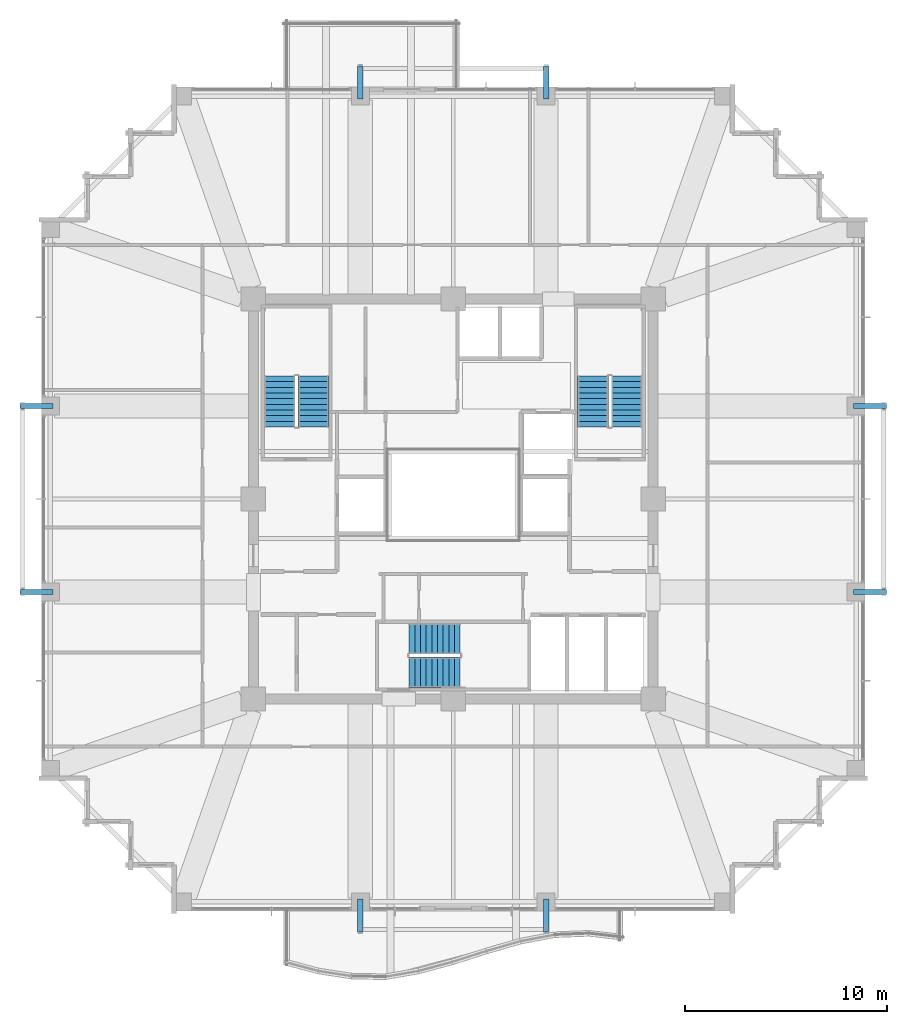
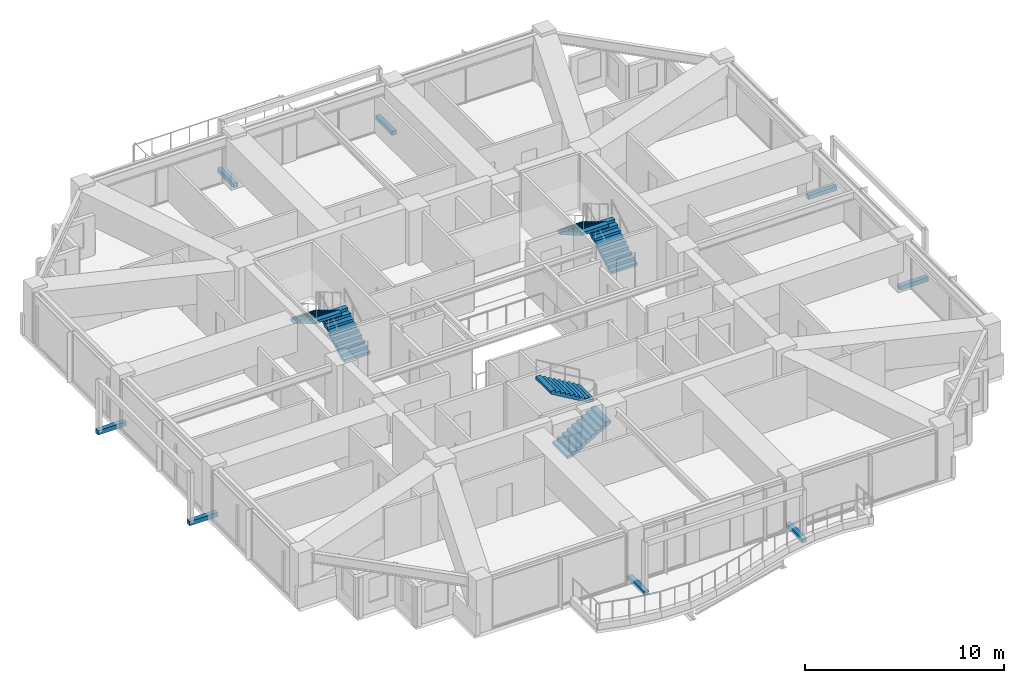
# One storey, part 35 of 37: 8 discrete accessories, 6 stair flights, 3 elements without a shape of their own.
"""IFC4 building model written with IfcOpenShell, lengths in metres."""

from ifc_helpers import new_model, si_unit, direction, frame, origin, origin_2d, place, context, subcontext, project, spatial, polyline, rectangle, outline, extrude, material, type_object, element, aggregate, save


model = new_model("IFC4")

# Units and contexts
model_context = context("Model", 3, precision=1e-05, world=origin(), true_north=direction((0.0, 1.0)))
body_context = subcontext(model_context, "Body", "Model", "MODEL_VIEW")
ifc_project = project(units=[si_unit("LENGTHUNIT", "METRE"), si_unit("AREAUNIT", "SQUARE_METRE"), si_unit("VOLUMEUNIT", "CUBIC_METRE"), si_unit("PLANEANGLEUNIT", "RADIAN"), si_unit("MASSUNIT", "GRAM", prefix="KILO")], contexts=[model_context])

# Site, building, storey
site_placement = place(None, origin())
site = spatial("IfcSite", under=ifc_project, at=site_placement, CompositionType="ELEMENT")
building_placement = place(site_placement, origin())
building = spatial("IfcBuilding", under=site, at=building_placement, Name="Kolvaren Belvedere", CompositionType="ELEMENT")
storey_placement = place(building_placement, frame((0.0, 0.0, 186.60009765625)))
storey = spatial("IfcBuildingStorey", under=building, at=storey_placement, Name="L54", CompositionType="ELEMENT", Elevation=186.60009765625)

# Stair, stair flights
ifc_material_1 = material(Name="Concrete C50/60", Category="concrete")
stair_type = type_object("IfcStairType", Name="ST-CORE-1520", PredefinedType="HALF_TURN_STAIR", material=ifc_material_1)
stair_1_placement = place(storey_placement, origin())
stair_1 = element("IfcStair", 1, at=stair_1_placement, inside=storey, type_object=stair_type, Name="L54 Protected Exit Stair ST-1", PredefinedType="HALF_TURN_STAIR")
ifc_material_2 = material(Name="Concrete C50/60", Category="concrete")
stair_flight_type = type_object("IfcStairFlightType", Name="SF-STR-1520", PredefinedType="STRAIGHT", material=ifc_material_2)
stair_flight_1_placement = place(storey_placement, frame((-6.919921875, 3.570068359375, 0.0), z_axis=(0.0, 0.0, 1.0), x_axis=(0.0, 1.0, 0.0)))
stair_flight_1 = element("IfcStairFlight", 2, at=stair_flight_1_placement, type_object=stair_flight_type, Name="ST-1 flight 1", NumberOfRisers=10, NumberOfTreads=9, PredefinedType="STRAIGHT", RiserHeight=0.165, TreadLength=0.28, context=body_context, shape_type="SweptSolid", body=[
    extrude(outline(polyline([(0.0, 0.0), (0.0, 0.1650390625), (0.280029296875, 0.1650390625), (0.280029296875, 0.330078125), (0.56005859375, 0.330078125), (0.56005859375, 0.4951171875), (0.840087890625, 0.4951171875), (0.840087890625, 0.659912109375), (1.1201171875, 0.659912109375), (1.1201171875, 0.824951171875), (1.39990234375, 0.824951171875), (1.39990234375, 0.989990234375), (1.679931640625, 0.989990234375), (1.679931640625, 1.155029296875), (1.9599609375, 1.155029296875), (1.9599609375, 1.320068359375), (2.239990234375, 1.320068359375), (2.239990234375, 1.485107421875), (2.52001953125, 1.485107421875), (2.52001953125, 1.64990234375), (2.52001953125, 1.31103515625), (0.295166015625, 0.0), (0.0, 0.0)])), frame((0.0, 0.760009765625, 0.0), z_axis=(0.0, -1.0, 0.0), x_axis=(1.0, 0.0, 0.0)), (0.0, 0.0, 1.0), 1.52001953125),
])
stair_flight_2_placement = place(storey_placement, frame((-8.590087890625, 6.090087890625, 1.64990234375), z_axis=(0.0, 0.0, 1.0), x_axis=(0.0, -1.0, 0.0)))
stair_flight_2 = element("IfcStairFlight", 3, at=stair_flight_2_placement, type_object=stair_flight_type, Name="ST-1 flight 2", NumberOfRisers=10, NumberOfTreads=9, PredefinedType="STRAIGHT", RiserHeight=0.165, TreadLength=0.28, context=body_context, shape_type="SweptSolid", body=[
    extrude(outline(polyline([(0.0, 0.0), (0.0, 0.1650390625), (0.280029296875, 0.1650390625), (0.280029296875, 0.330078125), (0.56005859375, 0.330078125), (0.56005859375, 0.4951171875), (0.840087890625, 0.4951171875), (0.840087890625, 0.659912109375), (1.1201171875, 0.659912109375), (1.1201171875, 0.824951171875), (1.39990234375, 0.824951171875), (1.39990234375, 0.989990234375), (1.679931640625, 0.989990234375), (1.679931640625, 1.155029296875), (1.9599609375, 1.155029296875), (1.9599609375, 1.320068359375), (2.239990234375, 1.320068359375), (2.239990234375, 1.485107421875), (2.52001953125, 1.485107421875), (2.52001953125, 1.64990234375), (2.52001953125, 1.31103515625), (0.295166015625, 0.0), (0.0, 0.0)])), frame((0.0, 0.760009765625, 0.0), z_axis=(0.0, -1.0, 0.0), x_axis=(1.0, 0.0, 0.0)), (0.0, 0.0, 1.0), 1.52001953125),
])
aggregate(stair_1, [stair_flight_1, stair_flight_2])

stair_2_placement = place(storey_placement, origin())
stair_2 = element("IfcStair", 4, at=stair_2_placement, inside=storey, type_object=stair_type, Name="L54 Protected Exit Stair ST-2", PredefinedType="HALF_TURN_STAIR")
stair_flight_3_placement = place(storey_placement, frame((8.590087890625, 3.570068359375, 0.0), z_axis=(0.0, 0.0, 1.0), x_axis=(0.0, 1.0, 0.0)))
stair_flight_3 = element("IfcStairFlight", 5, at=stair_flight_3_placement, type_object=stair_flight_type, Name="ST-2 flight 1", NumberOfRisers=10, NumberOfTreads=9, PredefinedType="STRAIGHT", RiserHeight=0.165, TreadLength=0.28, context=body_context, shape_type="SweptSolid", body=[
    extrude(outline(polyline([(0.0, 0.0), (0.0, 0.1650390625), (0.280029296875, 0.1650390625), (0.280029296875, 0.330078125), (0.56005859375, 0.330078125), (0.56005859375, 0.4951171875), (0.840087890625, 0.4951171875), (0.840087890625, 0.659912109375), (1.1201171875, 0.659912109375), (1.1201171875, 0.824951171875), (1.39990234375, 0.824951171875), (1.39990234375, 0.989990234375), (1.679931640625, 0.989990234375), (1.679931640625, 1.155029296875), (1.9599609375, 1.155029296875), (1.9599609375, 1.320068359375), (2.239990234375, 1.320068359375), (2.239990234375, 1.485107421875), (2.52001953125, 1.485107421875), (2.52001953125, 1.64990234375), (2.52001953125, 1.31103515625), (0.295166015625, 0.0), (0.0, 0.0)])), frame((0.0, 0.760009765625, 0.0), z_axis=(0.0, -1.0, 0.0), x_axis=(1.0, 0.0, 0.0)), (0.0, 0.0, 1.0), 1.52001953125),
])
stair_flight_4_placement = place(storey_placement, frame((6.919921875, 6.090087890625, 1.64990234375), z_axis=(0.0, 0.0, 1.0), x_axis=(0.0, -1.0, 0.0)))
stair_flight_4 = element("IfcStairFlight", 6, at=stair_flight_4_placement, type_object=stair_flight_type, Name="ST-2 flight 2", NumberOfRisers=10, NumberOfTreads=9, PredefinedType="STRAIGHT", RiserHeight=0.165, TreadLength=0.28, context=body_context, shape_type="SweptSolid", body=[
    extrude(outline(polyline([(0.0, 0.0), (0.0, 0.1650390625), (0.280029296875, 0.1650390625), (0.280029296875, 0.330078125), (0.56005859375, 0.330078125), (0.56005859375, 0.4951171875), (0.840087890625, 0.4951171875), (0.840087890625, 0.659912109375), (1.1201171875, 0.659912109375), (1.1201171875, 0.824951171875), (1.39990234375, 0.824951171875), (1.39990234375, 0.989990234375), (1.679931640625, 0.989990234375), (1.679931640625, 1.155029296875), (1.9599609375, 1.155029296875), (1.9599609375, 1.320068359375), (2.239990234375, 1.320068359375), (2.239990234375, 1.485107421875), (2.52001953125, 1.485107421875), (2.52001953125, 1.64990234375), (2.52001953125, 1.31103515625), (0.295166015625, 0.0), (0.0, 0.0)])), frame((0.0, 0.760009765625, 0.0), z_axis=(0.0, -1.0, 0.0), x_axis=(1.0, 0.0, 0.0)), (0.0, 0.0, 1.0), 1.52001953125),
])
aggregate(stair_2, [stair_flight_3, stair_flight_4])

stair_3_placement = place(storey_placement, origin())
stair_3 = element("IfcStair", 7, at=stair_3_placement, inside=storey, type_object=stair_type, Name="L54 Protected Exit Stair ST-3", PredefinedType="HALF_TURN_STAIR")
stair_flight_5_placement = place(storey_placement, frame((-2.179931640625, -8.590087890625, 0.0), z_axis=(0.0, 0.0, 1.0), x_axis=(1.0, 0.0, 0.0)))
stair_flight_5 = element("IfcStairFlight", 8, at=stair_flight_5_placement, type_object=stair_flight_type, Name="ST-3 flight 1", NumberOfRisers=10, NumberOfTreads=9, PredefinedType="STRAIGHT", RiserHeight=0.165, TreadLength=0.28, context=body_context, shape_type="SweptSolid", body=[
    extrude(outline(polyline([(0.0, 0.0), (0.0, 0.1650390625), (0.280029296875, 0.1650390625), (0.280029296875, 0.330078125), (0.56005859375, 0.330078125), (0.56005859375, 0.4951171875), (0.840087890625, 0.4951171875), (0.840087890625, 0.659912109375), (1.1201171875, 0.659912109375), (1.1201171875, 0.824951171875), (1.39990234375, 0.824951171875), (1.39990234375, 0.989990234375), (1.679931640625, 0.989990234375), (1.679931640625, 1.155029296875), (1.9599609375, 1.155029296875), (1.9599609375, 1.320068359375), (2.239990234375, 1.320068359375), (2.239990234375, 1.485107421875), (2.52001953125, 1.485107421875), (2.52001953125, 1.64990234375), (2.52001953125, 1.31103515625), (0.295166015625, 0.0), (0.0, 0.0)])), frame((0.0, 0.760009765625, 0.0), z_axis=(0.0, -1.0, 0.0), x_axis=(1.0, 0.0, 0.0)), (0.0, 0.0, 1.0), 1.52001953125),
])
stair_flight_6_placement = place(storey_placement, frame((0.340087890625, -6.919921875, 1.64990234375), z_axis=(0.0, 0.0, 1.0), x_axis=(-1.0, 0.0, 0.0)))
stair_flight_6 = element("IfcStairFlight", 9, at=stair_flight_6_placement, type_object=stair_flight_type, Name="ST-3 flight 2", NumberOfRisers=10, NumberOfTreads=9, PredefinedType="STRAIGHT", RiserHeight=0.165, TreadLength=0.28, context=body_context, shape_type="SweptSolid", body=[
    extrude(outline(polyline([(0.0, 0.0), (0.0, 0.1650390625), (0.280029296875, 0.1650390625), (0.280029296875, 0.330078125), (0.56005859375, 0.330078125), (0.56005859375, 0.4951171875), (0.840087890625, 0.4951171875), (0.840087890625, 0.659912109375), (1.1201171875, 0.659912109375), (1.1201171875, 0.824951171875), (1.39990234375, 0.824951171875), (1.39990234375, 0.989990234375), (1.679931640625, 0.989990234375), (1.679931640625, 1.155029296875), (1.9599609375, 1.155029296875), (1.9599609375, 1.320068359375), (2.239990234375, 1.320068359375), (2.239990234375, 1.485107421875), (2.52001953125, 1.485107421875), (2.52001953125, 1.64990234375), (2.52001953125, 1.31103515625), (0.295166015625, 0.0), (0.0, 0.0)])), frame((0.0, 0.760009765625, 0.0), z_axis=(0.0, -1.0, 0.0), x_axis=(1.0, 0.0, 0.0)), (0.0, 0.0, 1.0), 1.52001953125),
])
aggregate(stair_3, [stair_flight_5, stair_flight_6])

# Discrete accessories
ifc_material_3 = material(Name="Structural steel ASTM A572 Grade 50", Category="steel")
discrete_accessory_type = type_object("IfcDiscreteAccessoryType", Name="BRK-1 Steel Facade Support Bracket", PredefinedType="BRACKET", material=ifc_material_3)
for number, where, z_axis, x_axis, name in (
    (10, (-4.60009765625, 20.635009765625, -0.169921875), (0.0, 0.0, 1.0), (0.0, 1.0, 0.0), "L54 Picture-Frame Outrigger Cleat Bracket N1"),
    (11, (4.60009765625, 20.635009765625, -0.169921875), (0.0, 0.0, 1.0), (0.0, 1.0, 0.0), "L54 Picture-Frame Outrigger Cleat Bracket N2"),
    (12, (4.60009765625, -20.635009765625, -0.169921875), (0.0, 0.0, 1.0), (0.0, 1.0, 0.0), "L54 Picture-Frame Outrigger Cleat Bracket S1"),
    (13, (-4.60009765625, -20.635009765625, -0.169921875), (0.0, 0.0, 1.0), (0.0, 1.0, 0.0), "L54 Picture-Frame Outrigger Cleat Bracket S2"),
    (14, (20.635009765625, 4.60009765625, -0.169921875), (0.0, 0.0, 1.0), (1.0, 0.0, 0.0), "L54 Picture-Frame Outrigger Cleat Bracket E1"),
    (15, (20.635009765625, -4.60009765625, -0.169921875), (0.0, 0.0, 1.0), (1.0, 0.0, 0.0), "L54 Picture-Frame Outrigger Cleat Bracket E2"),
    (16, (-20.635009765625, -4.60009765625, -0.169921875), (0.0, 0.0, 1.0), (1.0, 0.0, 0.0), "L54 Picture-Frame Outrigger Cleat Bracket W1"),
    (17, (-20.635009765625, 4.60009765625, -0.169921875), (0.0, 0.0, 1.0), (1.0, 0.0, 0.0), "L54 Picture-Frame Outrigger Cleat Bracket W2"),
):
    element("IfcDiscreteAccessory", number, at=place(storey_placement, frame(where, z_axis=z_axis, x_axis=x_axis)), inside=storey, type_object=discrete_accessory_type, Name=name, PredefinedType="BRACKET", context=body_context, shape_type="SweptSolid", body=[
        extrude(rectangle(XDim=1.639892578125, YDim=0.260009765625, at=origin_2d()), origin(), (0.0, 0.0, 1.0), 0.260009765625),
    ])

save(model, "model.ifc")
